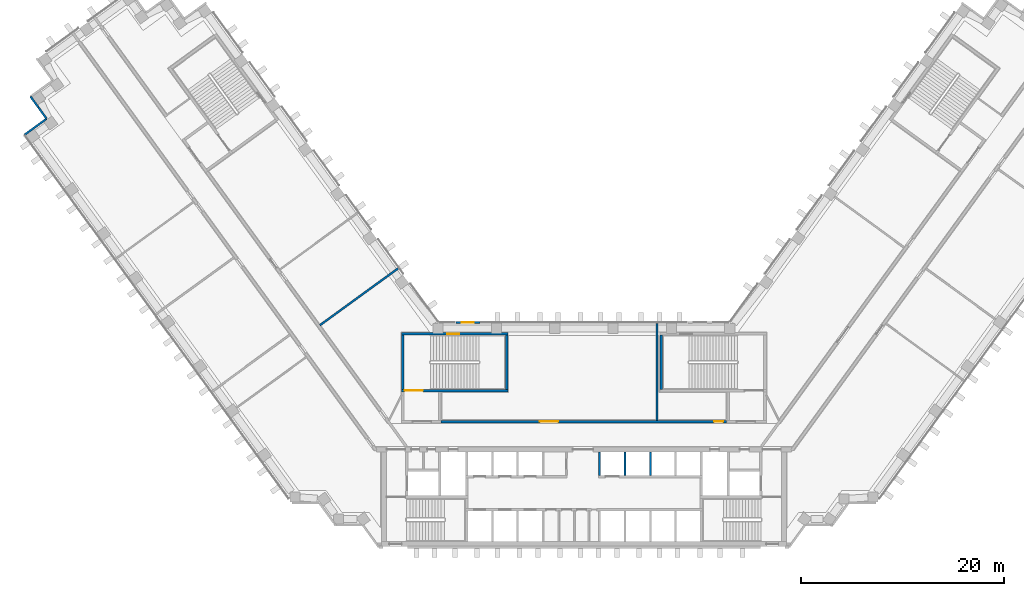
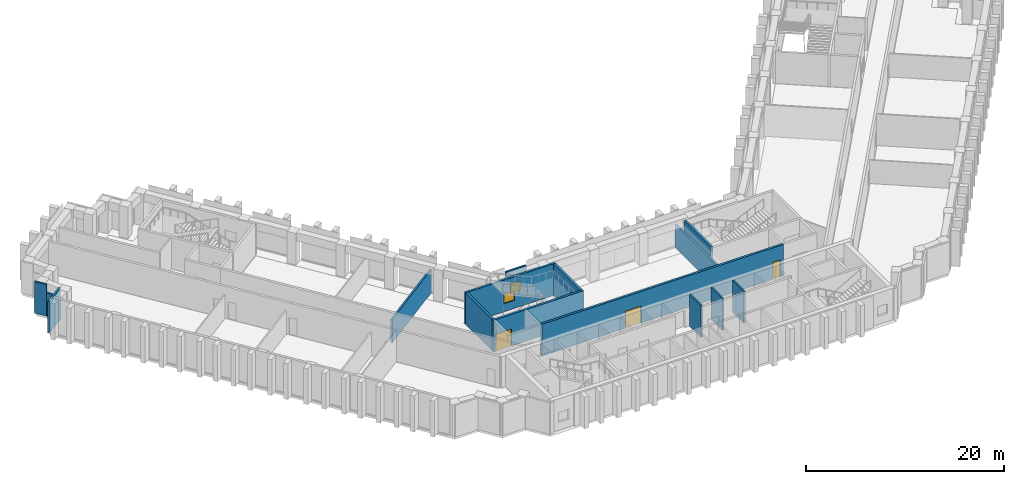
# One storey, part 7 of 14: 15 walls, 3 doors, 2 windows, 5 openings.
"""IFC4 building model written with IfcOpenShell, lengths in metres."""

from ifc_helpers import new_model, si_unit, direction, frame, frame_2d, origin, place, context, subcontext, project, spatial, rectangle, extrude, material, layer, layer_set, type_object, element, fill, save


model = new_model("IFC4")

# Units and contexts
model_context = context("Model", 3, precision=1e-05, world=origin(), true_north=direction((0.0, 1.0)))
body_context = subcontext(model_context, "Body", "Model", "MODEL_VIEW")
ifc_project = project(units=[si_unit("LENGTHUNIT", "METRE"), si_unit("AREAUNIT", "SQUARE_METRE"), si_unit("VOLUMEUNIT", "CUBIC_METRE"), si_unit("PLANEANGLEUNIT", "RADIAN"), si_unit("MASSUNIT", "GRAM", prefix="KILO")], contexts=[model_context])

# Site, building, storey
site_placement = place(None, origin())
site = spatial("IfcSite", under=ifc_project, at=site_placement, CompositionType="ELEMENT")
building_placement = place(site_placement, origin())
building = spatial("IfcBuilding", under=site, at=building_placement, Name="Quipu Civic Tower", CompositionType="ELEMENT")
storey_placement = place(building_placement, frame((0.0, 0.0, 20.5)))
storey = spatial("IfcBuildingStorey", under=building, at=storey_placement, Name="L04", CompositionType="ELEMENT", Elevation=20.5)

# Walls
ifc_material_1 = material(Name="Fired clay blockwork", Category="masonry")
ifc_layer_1 = layer(ifc_material_1, 0.199951171875)
ifc_layer_set_1 = layer_set([ifc_layer_1], Name="Fired clay blockwork")
wall_type_1 = type_object("IfcWallType", Name="Blockwork wall 200", PredefinedType="SOLIDWALL", material=ifc_layer_set_1)
wall_1_placement = place(storey_placement, frame((7.218017578125, 11.0, 0.0), z_axis=(0.0, 0.0, 1.0), x_axis=(0.0, -1.0, 0.0)))
element("IfcWall", 1, at=wall_1_placement, inside=storey, type_object=wall_type_1, Name="Partition P10", PredefinedType="SOLIDWALL", context=body_context, shape_type="SweptSolid", body=[
    extrude(rectangle(XDim=9.550048828125, YDim=0.199951171875, at=frame_2d((4.77490234375, 0.0))), origin(), (0.0, 0.0, 1.0), 2.89990234375),
])
wall_2_placement = place(storey_placement, frame((-18.269287109375, 16.50390625, 0.0), z_axis=(0.0, 0.0, 1.0), x_axis=(-0.809047748514, -0.587742920522, 0.0)))
element("IfcWall", 2, at=wall_2_placement, inside=storey, type_object=wall_type_1, Name="Partition P11", PredefinedType="SOLIDWALL", context=body_context, shape_type="SweptSolid", body=[
    extrude(rectangle(XDim=9.650634765625, YDim=0.199951171875, at=frame_2d((4.8251953125, 0.0))), origin(), (0.0, 0.0, 1.0), 2.89990234375),
])

# Wall, opening, door
ifc_material_2 = material(Name="Concrete C70/85", Category="concrete")
ifc_layer_2 = layer(ifc_material_2, 0.25)
ifc_layer_set_2 = layer_set([ifc_layer_2], Name="Concrete C70/85")
wall_type_2 = type_object("IfcWallType", Name="Core wall 250", PredefinedType="SHEAR", material=ifc_layer_set_2)
wall_3_placement = place(storey_placement, frame((-18.0, 4.375, 0.0), z_axis=(0.0, 0.0, 1.0), x_axis=(1.0, 0.0, 0.0)))
wall_3 = element("IfcWall", 3, at=wall_3_placement, inside=storey, type_object=wall_type_2, Name="Core wall", PredefinedType="SHEAR", context=body_context, shape_type="SweptSolid", body=[
    extrude(rectangle(XDim=10.5, YDim=0.25, at=frame_2d((5.25, 0.0))), origin(), (0.0, 0.0, 1.0), 3.89990234375),
])
opening_1_placement = place(wall_3_placement, frame((0.300048828125, 0.0, 0.0)))
opening_1 = element("IfcOpeningElement", 4, at=opening_1_placement, cuts=wall_3, Name="Opening CD-17", PredefinedType="OPENING", context=body_context, shape_type="SweptSolid", body=[
    extrude(rectangle(XDim=1.800048828125, YDim=2.10009765625, at=frame_2d((0.89990234375, 1.050048828125))), frame((0.0, 0.135009765625, 0.0), z_axis=(0.0, -1.0, 0.0), x_axis=(1.0, 0.0, 0.0)), (0.0, 0.0, 1.0), 0.27001953125),
])
ifc_material_3 = material(Name="Fire rated steel door", Category="steel")
door_type_1 = type_object("IfcDoorType", Name="Fire door FD90 double 1800 x 2100", OperationType="NOTDEFINED", PredefinedType="DOOR", material=ifc_material_3)
door_1_placement = place(opening_1_placement, origin())
door_1 = element("IfcDoor", 5, at=door_1_placement, inside=storey, type_object=door_type_1, Name="Door", OperationType="DOUBLE_DOOR_SINGLE_SWING", OverallHeight=2.10009765625, OverallWidth=1.800048828125, PredefinedType="DOOR", context=body_context, shape_type="SweptSolid", body=[
    extrude(rectangle(XDim=1.800048828125, YDim=2.10009765625, at=frame_2d((0.89990234375, 1.050048828125))), frame((0.0, 0.02490234375, 0.0), z_axis=(0.0, -1.0, 0.0), x_axis=(1.0, 0.0, 0.0)), (0.0, 0.0, 1.0), 0.050048828125),
])
fill(opening_1, door_1)

# Walls
for number, where, z_axis, x_axis, name in (
    (6, (-17.875, 4.5, 0.0), (0.0, 0.0, 1.0), (0.0, 1.0, 0.0), "Core wall"),
    (7, (-7.625, 4.5, 0.0), (0.0, 0.0, 1.0), (0.0, 1.0, 0.0), "Core wall"),
):
    element("IfcWall", number, at=place(storey_placement, frame(where, z_axis=z_axis, x_axis=x_axis)), inside=storey, type_object=wall_type_2, Name=name, PredefinedType="SHEAR", context=body_context, shape_type="SweptSolid", body=[
        extrude(rectangle(XDim=5.35009765625, YDim=0.25, at=frame_2d((2.675048828125, 0.0))), origin(), (0.0, 0.0, 1.0), 3.89990234375),
    ])

# Wall, opening, window
wall_4_placement = place(storey_placement, frame((-18.0, 9.97509765625, 0.0), z_axis=(0.0, 0.0, 1.0), x_axis=(1.0, 0.0, 0.0)))
wall_4 = element("IfcWall", 8, at=wall_4_placement, inside=storey, type_object=wall_type_2, Name="Core wall", PredefinedType="SHEAR", context=body_context, shape_type="SweptSolid", body=[
    extrude(rectangle(XDim=10.5, YDim=0.25, at=frame_2d((5.25, 0.0))), origin(), (0.0, 0.0, 1.0), 3.89990234375),
])
opening_2_placement = place(wall_4_placement, frame((4.5, 0.0, 1.0)))
opening_2 = element("IfcOpeningElement", 9, at=opening_2_placement, cuts=wall_4, Name="Opening SV-3", PredefinedType="OPENING", context=body_context, shape_type="SweptSolid", body=[
    extrude(rectangle(XDim=1.199951171875, YDim=1.199951171875, at=frame_2d((0.60009765625, 0.60009765625))), frame((0.0, 0.135009765625, 0.0), z_axis=(0.0, -1.0, 0.0), x_axis=(1.0, 0.0, 0.0)), (0.0, 0.0, 1.0), 0.27001953125),
])
ifc_material_4 = material(Name="Aluminium louvre", Category="aluminium")
window_type_1 = type_object("IfcWindowType", Name="Stair ventilation louvre 1200 x 1200", PartitioningType="SINGLE_PANEL", PredefinedType="WINDOW", material=ifc_material_4)
window_1_placement = place(opening_2_placement, origin())
window_1 = element("IfcWindow", 10, at=window_1_placement, inside=storey, type_object=window_type_1, Name="Stair ventilation opening", OverallHeight=1.199951171875, OverallWidth=1.199951171875, PartitioningType="SINGLE_PANEL", PredefinedType="WINDOW", context=body_context, shape_type="SweptSolid", body=[
    extrude(rectangle(XDim=1.199951171875, YDim=1.199951171875, at=frame_2d((0.60009765625, 0.60009765625))), frame((0.0, 0.030029296875, 0.0), z_axis=(0.0, -1.0, 0.0), x_axis=(1.0, 0.0, 0.0)), (0.0, 0.0, 1.0), 0.06005859375),
])
fill(opening_2, window_1)

# Wall
wall_5_placement = place(storey_placement, frame((7.625, 4.5, 0.0), z_axis=(0.0, 0.0, 1.0), x_axis=(0.0, 1.0, 0.0)))
element("IfcWall", 11, at=wall_5_placement, inside=storey, type_object=wall_type_2, Name="Core wall", PredefinedType="SHEAR", context=body_context, shape_type="SweptSolid", body=[
    extrude(rectangle(XDim=5.35009765625, YDim=0.25, at=frame_2d((2.675048828125, 0.0))), origin(), (0.0, 0.0, 1.0), 3.89990234375),
])

# Wall, openings, doors
ifc_material_5 = material(Name="Concrete C50/60", Category="concrete")
ifc_layer_3 = layer(ifc_material_5, 0.25)
ifc_layer_set_3 = layer_set([ifc_layer_3], Name="Concrete C50/60")
wall_type_3 = type_object("IfcWallType", Name="Corridor wall 250 concrete", PredefinedType="SOLIDWALL", material=ifc_layer_set_3)
wall_6_placement = place(storey_placement, frame((-14.090087890625, 1.324951171875, 0.0), z_axis=(0.0, 0.0, 1.0), x_axis=(1.0, 0.0, 0.0)))
wall_6 = element("IfcWall", 12, at=wall_6_placement, inside=storey, type_object=wall_type_3, Name="Corridor wall C05", PredefinedType="SOLIDWALL", context=body_context, shape_type="SweptSolid", body=[
    extrude(rectangle(XDim=28.18017578125, YDim=0.25, at=frame_2d((14.090087890625, 0.0))), origin(), (0.0, 0.0, 1.0), 3.89990234375),
])
opening_3_placement = place(wall_6_placement, frame((26.93994140625, 0.0, 0.0)))
opening_3 = element("IfcOpeningElement", 13, at=opening_3_placement, cuts=wall_6, Name="Opening D009", PredefinedType="OPENING", context=body_context, shape_type="SweptSolid", body=[
    extrude(rectangle(XDim=0.89990234375, YDim=2.10009765625, at=frame_2d((0.449951171875, 1.050048828125))), frame((0.0, 0.135009765625, 0.0), z_axis=(0.0, -1.0, 0.0), x_axis=(1.0, 0.0, 0.0)), (0.0, 0.0, 1.0), 0.27001953125),
])
opening_4_placement = place(wall_6_placement, frame((9.739013671875, 0.0, 0.0)))
opening_4 = element("IfcOpeningElement", 14, at=opening_4_placement, cuts=wall_6, Name="Opening D008", PredefinedType="OPENING", context=body_context, shape_type="SweptSolid", body=[
    extrude(rectangle(XDim=1.800048828125, YDim=2.10009765625, at=frame_2d((0.89990234375, 1.050048828125))), frame((0.0, 0.135009765625, 0.0), z_axis=(0.0, -1.0, 0.0), x_axis=(1.0, 0.0, 0.0)), (0.0, 0.0, 1.0), 0.27001953125),
])
ifc_material_6 = material(Name="Fire rated timber door set with metal frame", Category="wood")
door_type_2 = type_object("IfcDoorType", Name="Double door 1800 x 2100 FD60", OperationType="DOUBLE_DOOR_SINGLE_SWING", PredefinedType="DOOR", material=ifc_material_6)
door_2_placement = place(opening_4_placement, origin())
door_2 = element("IfcDoor", 15, at=door_2_placement, inside=storey, type_object=door_type_2, Name="Door D008", OperationType="DOUBLE_DOOR_SINGLE_SWING", OverallHeight=2.10009765625, OverallWidth=1.800048828125, PredefinedType="DOOR", context=body_context, shape_type="SweptSolid", body=[
    extrude(rectangle(XDim=1.800048828125, YDim=2.10009765625, at=frame_2d((0.89990234375, 1.050048828125))), frame((0.0, 0.02490234375, 0.0), z_axis=(0.0, -1.0, 0.0), x_axis=(1.0, 0.0, 0.0)), (0.0, 0.0, 1.0), 0.050048828125),
])
fill(opening_4, door_2)
ifc_material_7 = material(Name="Fire rated timber door set with metal frame", Category="wood")
door_type_3 = type_object("IfcDoorType", Name="Single door 900 x 2100 FD60", OperationType="NOTDEFINED", PredefinedType="DOOR", material=ifc_material_7)
door_3_placement = place(opening_3_placement, origin())
door_3 = element("IfcDoor", 16, at=door_3_placement, inside=storey, type_object=door_type_3, Name="Door D009", OperationType="SINGLE_SWING_RIGHT", OverallHeight=2.10009765625, OverallWidth=0.89990234375, PredefinedType="DOOR", context=body_context, shape_type="SweptSolid", body=[
    extrude(rectangle(XDim=0.89990234375, YDim=2.10009765625, at=frame_2d((0.449951171875, 1.050048828125))), frame((0.0, 0.02490234375, 0.0), z_axis=(0.0, -1.0, 0.0), x_axis=(1.0, 0.0, 0.0)), (0.0, 0.0, 1.0), 0.050048828125),
])
fill(opening_3, door_3)

# Walls
ifc_material_8 = material(Name="Precast concrete C40/50", Category="concrete")
wall_type_4 = type_object("IfcWallType", Name="Precast cladding wall", PredefinedType="SOLIDWALL", material=ifc_material_8)
wall_7_placement = place(storey_placement, frame((-54.647216796875, 33.4169921875, 0.0), z_axis=(0.0, 0.0, 1.0), x_axis=(0.587871379726, -0.808954412127, 0.0)))
element("IfcWall", 17, at=wall_7_placement, inside=storey, type_object=wall_type_4, Name="Precast cladding wall L04 P16", PredefinedType="SOLIDWALL", context=body_context, shape_type="SweptSolid", body=[
    extrude(rectangle(XDim=1.30517578125, YDim=0.199951171875, at=frame_2d((0.652587890625, 0.0))), origin(), (0.0, 0.0, 1.0), 3.89990234375),
])
wall_8_placement = place(storey_placement, frame((-53.8798828125, 32.361083984375, 0.0), z_axis=(0.0, 0.0, 1.0), x_axis=(0.587776137069, -0.809023616894, 0.0)))
element("IfcWall", 18, at=wall_8_placement, inside=storey, type_object=wall_type_4, Name="Precast cladding wall L04 P16 a", PredefinedType="SOLIDWALL", context=body_context, shape_type="SweptSolid", body=[
    extrude(rectangle(XDim=1.394775390625, YDim=0.199951171875, at=frame_2d((0.697265625, 0.0))), origin(), (0.0, 0.0, 1.0), 2.89990234375),
])
wall_9_placement = place(storey_placement, frame((-53.062744140625, 31.2158203125, 0.0), z_axis=(0.0, 0.0, 1.0), x_axis=(-0.809033161865, -0.587762999008, 0.0)))
element("IfcWall", 19, at=wall_9_placement, inside=storey, type_object=wall_type_4, Name="Precast cladding wall L04 P17", PredefinedType="SOLIDWALL", context=body_context, shape_type="SweptSolid", body=[
    extrude(rectangle(XDim=2.699951171875, YDim=0.199951171875, at=frame_2d((1.35009765625, 0.0))), origin(), (0.0, 0.0, 1.0), 3.89990234375),
])

# Wall, opening, window
wall_10_placement = place(storey_placement, frame((-10.263427734375, 11.10009765625, 0.0), z_axis=(0.0, 0.0, 1.0), x_axis=(-1.0, 0.0, 0.0)))
wall_10 = element("IfcWall", 20, at=wall_10_placement, inside=storey, type_object=wall_type_4, Name="Vent surround SF-L02-1", PredefinedType="SOLIDWALL", context=body_context, shape_type="SweptSolid", body=[
    extrude(rectangle(XDim=2.3916015625, YDim=0.199951171875, at=frame_2d((1.19580078125, 0.0))), origin(), (0.0, 0.0, 1.0), 3.89990234375),
])
opening_5_placement = place(wall_10_placement, frame((0.595703125, 0.0, 1.0)))
opening_5 = element("IfcOpeningElement", 21, at=opening_5_placement, cuts=wall_10, Name="Opening SF-L02-1", PredefinedType="OPENING", context=body_context, shape_type="SweptSolid", body=[
    extrude(rectangle(XDim=1.199951171875, YDim=1.199951171875, at=frame_2d((0.60009765625, 0.60009765625))), frame((0.0, 0.10986328125, 0.0), z_axis=(0.0, -1.0, 0.0), x_axis=(1.0, 0.0, 0.0)), (0.0, 0.0, 1.0), 0.219970703125),
])
ifc_material_9 = material(Name="Anodised aluminium louvre", Category="aluminium")
window_type_2 = type_object("IfcWindowType", Name="Stair vent louvre window P3", PartitioningType="SINGLE_PANEL", PredefinedType="WINDOW", material=ifc_material_9)
window_2_placement = place(opening_5_placement, origin())
window_2 = element("IfcWindow", 22, at=window_2_placement, inside=storey, type_object=window_type_2, Name="Stair vent louvre SF-L02-1", OverallHeight=1.199951171875, OverallWidth=1.199951171875, PartitioningType="SINGLE_PANEL", PredefinedType="WINDOW", context=body_context, shape_type="SweptSolid", body=[
    extrude(rectangle(XDim=1.199951171875, YDim=1.199951171875, at=frame_2d((0.60009765625, 0.60009765625))), frame((0.0, 0.030029296875, 0.0), z_axis=(0.0, -1.0, 0.0), x_axis=(1.0, 0.0, 0.0)), (0.0, 0.0, 1.0), 0.06005859375),
])
fill(opening_5, window_2)

# Walls
ifc_material_10 = material(Name="Concrete C40/50", Category="concrete")
ifc_layer_4 = layer(ifc_material_10, 0.199951171875)
ifc_layer_set_4 = layer_set([ifc_layer_4], Name="Concrete C40/50")
wall_type_5 = type_object("IfcWallType", Name="Shaft wall 200", PredefinedType="SOLIDWALL", material=ifc_layer_set_4)
for number, where, z_axis, x_axis, name in (
    (23, (1.550048828125, -4.0, 0.0), (0.0, 0.0, 1.0), (0.0, 1.0, 0.0), "Shaft wall"),
    (24, (4.050048828125, -4.0, 0.0), (0.0, 0.0, 1.0), (0.0, 1.0, 0.0), "Shaft wall"),
    (25, (6.550048828125, -4.0, 0.0), (0.0, 0.0, 1.0), (0.0, 1.0, 0.0), "Shaft wall"),
):
    element("IfcWall", number, at=place(storey_placement, frame(where, z_axis=z_axis, x_axis=x_axis)), inside=storey, type_object=wall_type_5, Name=name, PredefinedType="SOLIDWALL", context=body_context, shape_type="SweptSolid", body=[
        extrude(rectangle(XDim=2.300048828125, YDim=0.199951171875, at=frame_2d((1.14990234375, 0.0))), origin(), (0.0, 0.0, 1.0), 3.89990234375),
    ])

save(model, "model.ifc")
